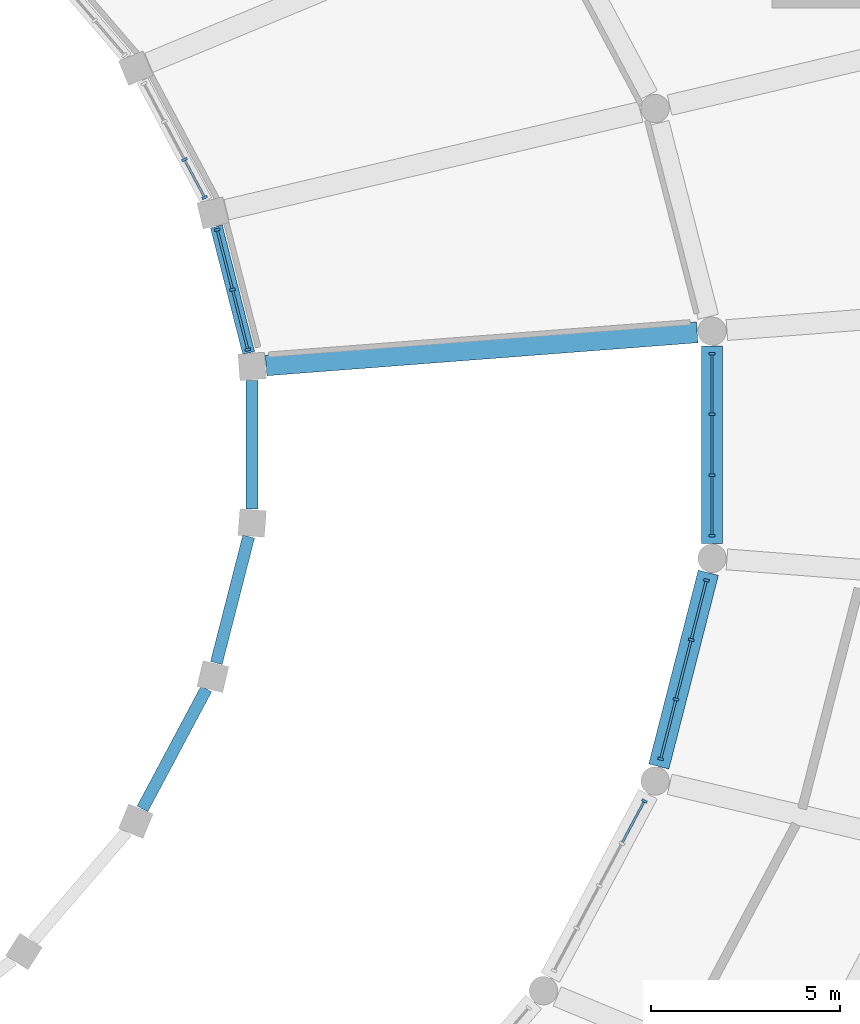
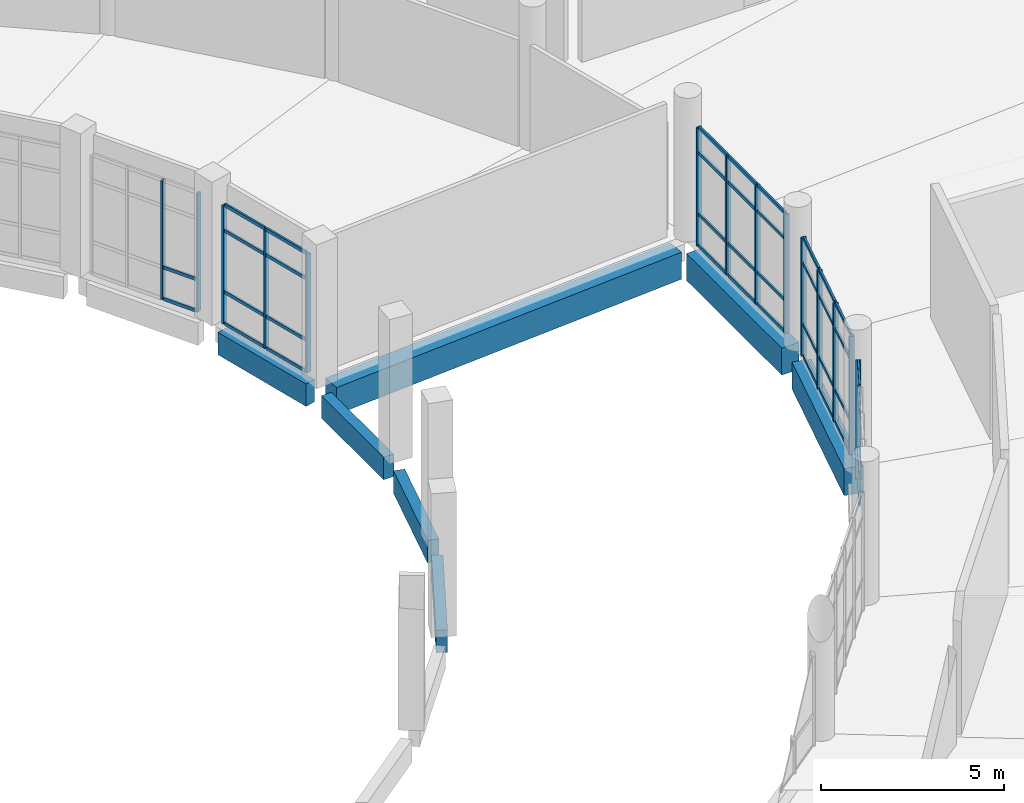
# One storey, part 42 of 179: 52 members, 7 beams, 5 elements without a shape of their own.
"""IFC4 building model written with IfcOpenShell, lengths in metres."""

from ifc_helpers import new_model, si_unit, direction, frame, origin, origin_2d, place, context, subcontext, project, spatial, rectangle, extrude, material, layer, layer_set, material_profile, profile_set, type_object, element, aggregate, save


model = new_model("IFC4")

# Units and contexts
model_context = context("Model", 3, precision=1e-05, world=origin(), true_north=direction((0.0, 1.0)))
body_context = subcontext(model_context, "Body", "Model", "MODEL_VIEW")
ifc_project = project(units=[si_unit("LENGTHUNIT", "METRE"), si_unit("AREAUNIT", "SQUARE_METRE"), si_unit("VOLUMEUNIT", "CUBIC_METRE"), si_unit("PLANEANGLEUNIT", "RADIAN"), si_unit("MASSUNIT", "GRAM", prefix="KILO")], contexts=[model_context])

# Site, building, storey
site_placement = place(None, origin())
site = spatial("IfcSite", under=ifc_project, at=site_placement, CompositionType="ELEMENT")
building_placement = place(site_placement, origin())
building = spatial("IfcBuilding", under=site, at=building_placement, Name="Corvandel Quay Wholesale Market", CompositionType="ELEMENT")
storey_placement = place(building_placement, frame((0.0, 0.0, 6.0)))
storey = spatial("IfcBuildingStorey", under=building, at=storey_placement, Name="L01", CompositionType="ELEMENT", Elevation=6.0)

# Curtain wall, members
ifc_material_1 = material(Name="Bronze anodised aluminium and low-E insulated glazing", Category="aluminium")
ifc_layer_1 = layer(ifc_material_1, 0.14990234375)
ifc_layer_set_1 = layer_set([ifc_layer_1], Name="Bronze anodised aluminium and low-E insulated glazing")
curtain_wall_type_1 = type_object("IfcCurtainWallType", Name="Stick Curtain Wall System CW15 H4350", PredefinedType="NOTDEFINED", material=ifc_layer_set_1)
curtain_wall_1_placement = place(storey_placement, origin())
curtain_wall_1 = element("IfcCurtainWall", 1, at=curtain_wall_1_placement, inside=storey, type_object=curtain_wall_type_1, Name="Curtain Wall CW-0001", PredefinedType="NOTDEFINED")
ifc_material_2 = material(Name="Anodised aluminium 6063-T6", Category="aluminium")
ifc_material_profile_1 = material_profile(ifc_material_2, rectangle(XDim=0.06494140625, YDim=0.14990234375, at=origin_2d()), Name="ALU-MUL-65x150")
ifc_profile_set_1 = profile_set([ifc_material_profile_1], Name="Anodised aluminium 6063-T6")
member_type_1 = type_object("IfcMemberType", Name="Curtain Wall Mullion ML02 65x150", PredefinedType="MULLION", material=ifc_profile_set_1)
member_1_placement = place(storey_placement, frame((140.885986328125, 44.513671875, 0.0), z_axis=(0.0, 0.0, 1.0), x_axis=(-0.247844544316, 0.968799815159, 0.0)))
member_1 = element("IfcMember", 2, at=member_1_placement, type_object=member_type_1, Name="Mullion CW-0001-M00", PredefinedType="MULLION", context=body_context, shape_type="SweptSolid", body=[
    extrude(rectangle(XDim=0.06494140625, YDim=0.14990234375, at=origin_2d()), origin(), (0.0, 0.0, 1.0), 3.949951171875),
])
member_2_placement = place(storey_placement, frame((140.48095703125, 46.096435546875, 0.0), z_axis=(0.0, 0.0, 1.0), x_axis=(-0.247844544316, 0.968799815159, 0.0)))
member_2 = element("IfcMember", 3, at=member_2_placement, type_object=member_type_1, Name="Mullion CW-0001-M01", PredefinedType="MULLION", context=body_context, shape_type="SweptSolid", body=[
    extrude(rectangle(XDim=0.06494140625, YDim=0.14990234375, at=origin_2d()), origin(), (0.0, 0.0, 1.0), 3.949951171875),
])
member_3_placement = place(storey_placement, frame((140.075927734375, 47.67919921875, 0.0), z_axis=(0.0, 0.0, 1.0), x_axis=(-0.247844544316, 0.968799815159, 0.0)))
member_3 = element("IfcMember", 4, at=member_3_placement, type_object=member_type_1, Name="Mullion CW-0001-M02", PredefinedType="MULLION", context=body_context, shape_type="SweptSolid", body=[
    extrude(rectangle(XDim=0.06494140625, YDim=0.14990234375, at=origin_2d()), origin(), (0.0, 0.0, 1.0), 3.949951171875),
])

ifc_layer_2 = layer(ifc_material_1, 0.162109375)
ifc_layer_set_2 = layer_set([ifc_layer_2], Name="Bronze anodised aluminium and low-E insulated glazing")
curtain_wall_type_2 = type_object("IfcCurtainWallType", Name="Stick Curtain Wall System CW16 H4440", PredefinedType="NOTDEFINED", material=ifc_layer_set_2)
curtain_wall_2_placement = place(storey_placement, origin())
curtain_wall_2 = element("IfcCurtainWall", 5, at=curtain_wall_2_placement, inside=storey, type_object=curtain_wall_type_2, Name="Curtain Wall CW-0004", PredefinedType="NOTDEFINED")
member_4_placement = place(storey_placement, frame((139.745849609375, 48.531005859375, 0.0), z_axis=(0.0, 0.0, 1.0), x_axis=(-0.469933808689, 0.882701657102, 0.0)))
member_4 = element("IfcMember", 6, at=member_4_placement, type_object=member_type_1, Name="Mullion CW-0004-M00", PredefinedType="MULLION", context=body_context, shape_type="SweptSolid", body=[
    extrude(rectangle(XDim=0.06494140625, YDim=0.14990234375, at=origin_2d()), origin(), (0.0, 0.0, 1.0), 3.949951171875),
])
member_5_placement = place(storey_placement, frame((139.211669921875, 49.534423828125, 0.0), z_axis=(0.0, 0.0, 1.0), x_axis=(-0.469933808689, 0.882701657102, 0.0)))
member_5 = element("IfcMember", 7, at=member_5_placement, type_object=member_type_1, Name="Mullion CW-0004-M01", PredefinedType="MULLION", context=body_context, shape_type="SweptSolid", body=[
    extrude(rectangle(XDim=0.06494140625, YDim=0.14990234375, at=origin_2d()), origin(), (0.0, 0.0, 1.0), 3.949951171875),
])

# Curtain wall, member
ifc_layer_3 = layer(ifc_material_1, 0.14990234375)
ifc_layer_set_3 = layer_set([ifc_layer_3], Name="Bronze anodised aluminium and low-E insulated glazing")
curtain_wall_type_3 = type_object("IfcCurtainWallType", Name="Stick Curtain Wall System CW20 H4800", PredefinedType="NOTDEFINED", material=ifc_layer_set_3)
curtain_wall_3_placement = place(storey_placement, origin())
curtain_wall_3 = element("IfcCurtainWall", 8, at=curtain_wall_3_placement, inside=storey, type_object=curtain_wall_type_3, Name="Curtain Wall CW-0087", PredefinedType="NOTDEFINED")
member_6_placement = place(storey_placement, frame((151.363037109375, 32.58837890625, 0.0), z_axis=(0.0, 0.0, 1.0), x_axis=(0.470087862033, 0.882619624736, 0.0)))
member_6 = element("IfcMember", 9, at=member_6_placement, type_object=member_type_1, Name="Mullion CW-0087-M04", PredefinedType="MULLION", context=body_context, shape_type="SweptSolid", body=[
    extrude(rectangle(XDim=0.06494140625, YDim=0.14990234375, at=origin_2d()), origin(), (0.0, 0.0, 1.0), 3.949951171875),
])

# Curtain wall, members
ifc_layer_4 = layer(ifc_material_1, 0.162109375)
ifc_layer_set_4 = layer_set([ifc_layer_4], Name="Bronze anodised aluminium and low-E insulated glazing")
curtain_wall_type_4 = type_object("IfcCurtainWallType", Name="Stick Curtain Wall System CW21 H4890", PredefinedType="NOTDEFINED", material=ifc_layer_set_4)
curtain_wall_4_placement = place(storey_placement, origin())
curtain_wall_4 = element("IfcCurtainWall", 10, at=curtain_wall_4_placement, inside=storey, type_object=curtain_wall_type_4, Name="Curtain Wall CW-0089", PredefinedType="NOTDEFINED")
member_7_placement = place(storey_placement, frame((151.793701171875, 33.69921875, 0.0), z_axis=(0.0, 0.0, 1.0), x_axis=(0.247844544316, 0.968799815159, 0.0)))
member_7 = element("IfcMember", 11, at=member_7_placement, type_object=member_type_1, Name="Mullion CW-0089-M00", PredefinedType="MULLION", context=body_context, shape_type="SweptSolid", body=[
    extrude(rectangle(XDim=0.06494140625, YDim=0.14990234375, at=origin_2d()), origin(), (0.0, 0.0, 1.0), 3.949951171875),
])
member_8_placement = place(storey_placement, frame((152.1962890625, 35.272705078125, 0.0), z_axis=(0.0, 0.0, 1.0), x_axis=(0.247844544316, 0.968799815159, 0.0)))
member_8 = element("IfcMember", 12, at=member_8_placement, type_object=member_type_1, Name="Mullion CW-0089-M01", PredefinedType="MULLION", context=body_context, shape_type="SweptSolid", body=[
    extrude(rectangle(XDim=0.06494140625, YDim=0.14990234375, at=origin_2d()), origin(), (0.0, 0.0, 1.0), 3.949951171875),
])
member_9_placement = place(storey_placement, frame((152.598876953125, 36.84619140625, 0.0), z_axis=(0.0, 0.0, 1.0), x_axis=(0.247844544316, 0.968799815159, 0.0)))
member_9 = element("IfcMember", 13, at=member_9_placement, type_object=member_type_1, Name="Mullion CW-0089-M02", PredefinedType="MULLION", context=body_context, shape_type="SweptSolid", body=[
    extrude(rectangle(XDim=0.06494140625, YDim=0.14990234375, at=origin_2d()), origin(), (0.0, 0.0, 1.0), 3.949951171875),
])
member_10_placement = place(storey_placement, frame((153.001220703125, 38.419677734375, 0.0), z_axis=(0.0, 0.0, 1.0), x_axis=(0.247844544316, 0.968799815159, 0.0)))
member_10 = element("IfcMember", 14, at=member_10_placement, type_object=member_type_1, Name="Mullion CW-0089-M03", PredefinedType="MULLION", context=body_context, shape_type="SweptSolid", body=[
    extrude(rectangle(XDim=0.06494140625, YDim=0.14990234375, at=origin_2d()), origin(), (0.0, 0.0, 1.0), 3.949951171875),
])

ifc_layer_5 = layer(ifc_material_1, 0.174072265625)
ifc_layer_set_5 = layer_set([ifc_layer_5], Name="Bronze anodised aluminium and low-E insulated glazing")
curtain_wall_type_5 = type_object("IfcCurtainWallType", Name="Stick Curtain Wall System CW22 H4980", PredefinedType="NOTDEFINED", material=ifc_layer_set_5)
curtain_wall_5_placement = place(storey_placement, origin())
curtain_wall_5 = element("IfcCurtainWall", 15, at=curtain_wall_5_placement, inside=storey, type_object=curtain_wall_type_5, Name="Curtain Wall CW-0090", PredefinedType="NOTDEFINED")
member_11_placement = place(storey_placement, frame((153.14990234375, 39.60107421875, 0.0), z_axis=(0.0, 0.0, 1.0), x_axis=(0.0, 1.0, 0.0)))
member_11 = element("IfcMember", 16, at=member_11_placement, type_object=member_type_1, Name="Mullion CW-0090-M00", PredefinedType="MULLION", context=body_context, shape_type="SweptSolid", body=[
    extrude(rectangle(XDim=0.06494140625, YDim=0.14990234375, at=origin_2d()), origin(), (0.0, 0.0, 1.0), 3.949951171875),
])
member_12_placement = place(storey_placement, frame((153.14990234375, 41.2001953125, 0.0), z_axis=(0.0, 0.0, 1.0), x_axis=(0.0, 1.0, 0.0)))
member_12 = element("IfcMember", 17, at=member_12_placement, type_object=member_type_1, Name="Mullion CW-0090-M01", PredefinedType="MULLION", context=body_context, shape_type="SweptSolid", body=[
    extrude(rectangle(XDim=0.06494140625, YDim=0.14990234375, at=origin_2d()), origin(), (0.0, 0.0, 1.0), 3.949951171875),
])
member_13_placement = place(storey_placement, frame((153.14990234375, 42.7998046875, 0.0), z_axis=(0.0, 0.0, 1.0), x_axis=(0.0, 1.0, 0.0)))
member_13 = element("IfcMember", 18, at=member_13_placement, type_object=member_type_1, Name="Mullion CW-0090-M02", PredefinedType="MULLION", context=body_context, shape_type="SweptSolid", body=[
    extrude(rectangle(XDim=0.06494140625, YDim=0.14990234375, at=origin_2d()), origin(), (0.0, 0.0, 1.0), 3.949951171875),
])
member_14_placement = place(storey_placement, frame((153.14990234375, 44.39892578125, 0.0), z_axis=(0.0, 0.0, 1.0), x_axis=(0.0, 1.0, 0.0)))
member_14 = element("IfcMember", 19, at=member_14_placement, type_object=member_type_1, Name="Mullion CW-0090-M03", PredefinedType="MULLION", context=body_context, shape_type="SweptSolid", body=[
    extrude(rectangle(XDim=0.06494140625, YDim=0.14990234375, at=origin_2d()), origin(), (0.0, 0.0, 1.0), 3.949951171875),
])

# Member
ifc_material_profile_2 = material_profile(ifc_material_2, rectangle(XDim=0.06005859375, YDim=0.110107421875, at=origin_2d()), Name="ALU-TRN-60x110")
ifc_profile_set_2 = profile_set([ifc_material_profile_2], Name="Anodised aluminium 6063-T6")
member_type_2 = type_object("IfcMemberType", Name="Curtain Wall Transom TR02 60x110", PredefinedType="USERDEFINED", material=ifc_profile_set_2)
member_15_placement = place(storey_placement, frame((140.8779296875, 44.545166015625, 0.0), z_axis=(-0.247914775851, 0.968781845368, 0.0), x_axis=(-0.968781845368, -0.247914775851, 0.0)))
member_15 = element("IfcMember", 20, at=member_15_placement, type_object=member_type_2, Name="Transom CW-0001-T00-0", ObjectType="TRANSOM", PredefinedType="USERDEFINED", context=body_context, shape_type="SweptSolid", body=[
    extrude(rectangle(XDim=0.06005859375, YDim=0.110107421875, at=origin_2d()), origin(), (0.0, 0.0, 1.0), 1.56884765625),
])

member_16_placement = place(storey_placement, frame((140.8779296875, 44.545166015625, 1.050048828125), z_axis=(-0.247914775851, 0.968781845368, 0.0), x_axis=(-0.968781845368, -0.247914775851, 0.0)))
member_16 = element("IfcMember", 21, at=member_16_placement, type_object=member_type_2, Name="Transom CW-0001-T00-1", ObjectType="TRANSOM", PredefinedType="USERDEFINED", context=body_context, shape_type="SweptSolid", body=[
    extrude(rectangle(XDim=0.06005859375, YDim=0.110107421875, at=origin_2d()), origin(), (0.0, 0.0, 1.0), 1.56884765625),
])

member_17_placement = place(storey_placement, frame((140.8779296875, 44.545166015625, 3.10009765625), z_axis=(-0.247914775851, 0.968781845368, 0.0), x_axis=(-0.968781845368, -0.247914775851, 0.0)))
member_17 = element("IfcMember", 22, at=member_17_placement, type_object=member_type_2, Name="Transom CW-0001-T00-2", ObjectType="TRANSOM", PredefinedType="USERDEFINED", context=body_context, shape_type="SweptSolid", body=[
    extrude(rectangle(XDim=0.06005859375, YDim=0.110107421875, at=origin_2d()), origin(), (0.0, 0.0, 1.0), 1.56884765625),
])

member_18_placement = place(storey_placement, frame((140.8779296875, 44.545166015625, 3.949951171875), z_axis=(-0.247914775851, 0.968781845368, 0.0), x_axis=(-0.968781845368, -0.247914775851, 0.0)))
member_18 = element("IfcMember", 23, at=member_18_placement, type_object=member_type_2, Name="Transom CW-0001-T00-3", ObjectType="TRANSOM", PredefinedType="USERDEFINED", context=body_context, shape_type="SweptSolid", body=[
    extrude(rectangle(XDim=0.06005859375, YDim=0.110107421875, at=origin_2d()), origin(), (0.0, 0.0, 1.0), 1.56884765625),
])

member_19_placement = place(storey_placement, frame((140.472900390625, 46.1279296875, 0.0), z_axis=(-0.247914775851, 0.968781845368, 0.0), x_axis=(-0.968781845368, -0.247914775851, 0.0)))
member_19 = element("IfcMember", 24, at=member_19_placement, type_object=member_type_2, Name="Transom CW-0001-T01-0", ObjectType="TRANSOM", PredefinedType="USERDEFINED", context=body_context, shape_type="SweptSolid", body=[
    extrude(rectangle(XDim=0.06005859375, YDim=0.110107421875, at=origin_2d()), origin(), (0.0, 0.0, 1.0), 1.56884765625),
])

member_20_placement = place(storey_placement, frame((140.472900390625, 46.1279296875, 1.050048828125), z_axis=(-0.247914775851, 0.968781845368, 0.0), x_axis=(-0.968781845368, -0.247914775851, 0.0)))
member_20 = element("IfcMember", 25, at=member_20_placement, type_object=member_type_2, Name="Transom CW-0001-T01-1", ObjectType="TRANSOM", PredefinedType="USERDEFINED", context=body_context, shape_type="SweptSolid", body=[
    extrude(rectangle(XDim=0.06005859375, YDim=0.110107421875, at=origin_2d()), origin(), (0.0, 0.0, 1.0), 1.56884765625),
])

member_21_placement = place(storey_placement, frame((140.472900390625, 46.1279296875, 3.10009765625), z_axis=(-0.247914775851, 0.968781845368, 0.0), x_axis=(-0.968781845368, -0.247914775851, 0.0)))
member_21 = element("IfcMember", 26, at=member_21_placement, type_object=member_type_2, Name="Transom CW-0001-T01-2", ObjectType="TRANSOM", PredefinedType="USERDEFINED", context=body_context, shape_type="SweptSolid", body=[
    extrude(rectangle(XDim=0.06005859375, YDim=0.110107421875, at=origin_2d()), origin(), (0.0, 0.0, 1.0), 1.56884765625),
])

member_22_placement = place(storey_placement, frame((140.472900390625, 46.1279296875, 3.949951171875), z_axis=(-0.247914775851, 0.968781845368, 0.0), x_axis=(-0.968781845368, -0.247914775851, 0.0)))
member_22 = element("IfcMember", 27, at=member_22_placement, type_object=member_type_2, Name="Transom CW-0001-T01-3", ObjectType="TRANSOM", PredefinedType="USERDEFINED", context=body_context, shape_type="SweptSolid", body=[
    extrude(rectangle(XDim=0.06005859375, YDim=0.110107421875, at=origin_2d()), origin(), (0.0, 0.0, 1.0), 1.56884765625),
])

aggregate(curtain_wall_1, [member_1, member_2, member_3, member_15, member_16, member_17, member_18, member_19, member_20, member_21, member_22])

member_23_placement = place(storey_placement, frame((139.73046875, 48.559814453125, 0.0), z_axis=(-0.470032340341, 0.88264919364, 0.0), x_axis=(-0.88264919364, -0.470032340341, 0.0)))
member_23 = element("IfcMember", 28, at=member_23_placement, type_object=member_type_2, Name="Transom CW-0004-T00-0", ObjectType="TRANSOM", PredefinedType="USERDEFINED", context=body_context, shape_type="SweptSolid", body=[
    extrude(rectangle(XDim=0.06005859375, YDim=0.110107421875, at=origin_2d()), origin(), (0.0, 0.0, 1.0), 1.071533203125),
])

member_24_placement = place(storey_placement, frame((139.73046875, 48.559814453125, 1.050048828125), z_axis=(-0.470032340341, 0.88264919364, 0.0), x_axis=(-0.88264919364, -0.470032340341, 0.0)))
member_24 = element("IfcMember", 29, at=member_24_placement, type_object=member_type_2, Name="Transom CW-0004-T00-1", ObjectType="TRANSOM", PredefinedType="USERDEFINED", context=body_context, shape_type="SweptSolid", body=[
    extrude(rectangle(XDim=0.06005859375, YDim=0.110107421875, at=origin_2d()), origin(), (0.0, 0.0, 1.0), 1.071533203125),
])

aggregate(curtain_wall_2, [member_4, member_5, member_23, member_24])

member_25_placement = place(storey_placement, frame((150.781494140625, 31.49658203125, 0.0), z_axis=(0.470009555952, 0.882661326508, 0.0), x_axis=(-0.882661326508, 0.470009555952, 0.0)))
member_25 = element("IfcMember", 30, at=member_25_placement, type_object=member_type_2, Name="Transom CW-0087-T03-0", ObjectType="TRANSOM", PredefinedType="USERDEFINED", context=body_context, shape_type="SweptSolid", body=[
    extrude(rectangle(XDim=0.06005859375, YDim=0.110107421875, at=origin_2d()), origin(), (0.0, 0.0, 1.0), 1.20458984375),
])

member_26_placement = place(storey_placement, frame((150.781494140625, 31.49658203125, 1.050048828125), z_axis=(0.470009555952, 0.882661326508, 0.0), x_axis=(-0.882661326508, 0.470009555952, 0.0)))
member_26 = element("IfcMember", 31, at=member_26_placement, type_object=member_type_2, Name="Transom CW-0087-T03-1", ObjectType="TRANSOM", PredefinedType="USERDEFINED", context=body_context, shape_type="SweptSolid", body=[
    extrude(rectangle(XDim=0.06005859375, YDim=0.110107421875, at=origin_2d()), origin(), (0.0, 0.0, 1.0), 1.20458984375),
])

member_27_placement = place(storey_placement, frame((150.781494140625, 31.49658203125, 3.10009765625), z_axis=(0.470009555952, 0.882661326508, 0.0), x_axis=(-0.882661326508, 0.470009555952, 0.0)))
member_27 = element("IfcMember", 32, at=member_27_placement, type_object=member_type_2, Name="Transom CW-0087-T03-2", ObjectType="TRANSOM", PredefinedType="USERDEFINED", context=body_context, shape_type="SweptSolid", body=[
    extrude(rectangle(XDim=0.06005859375, YDim=0.110107421875, at=origin_2d()), origin(), (0.0, 0.0, 1.0), 1.20458984375),
])

member_28_placement = place(storey_placement, frame((150.781494140625, 31.49658203125, 3.949951171875), z_axis=(0.470009555952, 0.882661326508, 0.0), x_axis=(-0.882661326508, 0.470009555952, 0.0)))
member_28 = element("IfcMember", 33, at=member_28_placement, type_object=member_type_2, Name="Transom CW-0087-T03-3", ObjectType="TRANSOM", PredefinedType="USERDEFINED", context=body_context, shape_type="SweptSolid", body=[
    extrude(rectangle(XDim=0.06005859375, YDim=0.110107421875, at=origin_2d()), origin(), (0.0, 0.0, 1.0), 1.20458984375),
])

aggregate(curtain_wall_3, [member_6, member_25, member_26, member_27, member_28])

member_29_placement = place(storey_placement, frame((151.8017578125, 33.730712890625, 0.0), z_axis=(0.247874263937, 0.968792211611, 0.0), x_axis=(-0.968792211611, 0.247874263937, 0.0)))
member_29 = element("IfcMember", 34, at=member_29_placement, type_object=member_type_2, Name="Transom CW-0089-T00-0", ObjectType="TRANSOM", PredefinedType="USERDEFINED", context=body_context, shape_type="SweptSolid", body=[
    extrude(rectangle(XDim=0.06005859375, YDim=0.110107421875, at=origin_2d()), origin(), (0.0, 0.0, 1.0), 1.55908203125),
])

member_30_placement = place(storey_placement, frame((151.8017578125, 33.730712890625, 1.050048828125), z_axis=(0.247874263937, 0.968792211611, 0.0), x_axis=(-0.968792211611, 0.247874263937, 0.0)))
member_30 = element("IfcMember", 35, at=member_30_placement, type_object=member_type_2, Name="Transom CW-0089-T00-1", ObjectType="TRANSOM", PredefinedType="USERDEFINED", context=body_context, shape_type="SweptSolid", body=[
    extrude(rectangle(XDim=0.06005859375, YDim=0.110107421875, at=origin_2d()), origin(), (0.0, 0.0, 1.0), 1.55908203125),
])

member_31_placement = place(storey_placement, frame((151.8017578125, 33.730712890625, 3.10009765625), z_axis=(0.247874263937, 0.968792211611, 0.0), x_axis=(-0.968792211611, 0.247874263937, 0.0)))
member_31 = element("IfcMember", 36, at=member_31_placement, type_object=member_type_2, Name="Transom CW-0089-T00-2", ObjectType="TRANSOM", PredefinedType="USERDEFINED", context=body_context, shape_type="SweptSolid", body=[
    extrude(rectangle(XDim=0.06005859375, YDim=0.110107421875, at=origin_2d()), origin(), (0.0, 0.0, 1.0), 1.55908203125),
])

member_32_placement = place(storey_placement, frame((151.8017578125, 33.730712890625, 3.949951171875), z_axis=(0.247874263937, 0.968792211611, 0.0), x_axis=(-0.968792211611, 0.247874263937, 0.0)))
member_32 = element("IfcMember", 37, at=member_32_placement, type_object=member_type_2, Name="Transom CW-0089-T00-3", ObjectType="TRANSOM", PredefinedType="USERDEFINED", context=body_context, shape_type="SweptSolid", body=[
    extrude(rectangle(XDim=0.06005859375, YDim=0.110107421875, at=origin_2d()), origin(), (0.0, 0.0, 1.0), 1.55908203125),
])

member_33_placement = place(storey_placement, frame((152.204345703125, 35.30419921875, 0.0), z_axis=(0.247874263937, 0.968792211611, 0.0), x_axis=(-0.968792211611, 0.247874263937, 0.0)))
member_33 = element("IfcMember", 38, at=member_33_placement, type_object=member_type_2, Name="Transom CW-0089-T01-0", ObjectType="TRANSOM", PredefinedType="USERDEFINED", context=body_context, shape_type="SweptSolid", body=[
    extrude(rectangle(XDim=0.06005859375, YDim=0.110107421875, at=origin_2d()), origin(), (0.0, 0.0, 1.0), 1.55908203125),
])

member_34_placement = place(storey_placement, frame((152.204345703125, 35.30419921875, 1.050048828125), z_axis=(0.247874263937, 0.968792211611, 0.0), x_axis=(-0.968792211611, 0.247874263937, 0.0)))
member_34 = element("IfcMember", 39, at=member_34_placement, type_object=member_type_2, Name="Transom CW-0089-T01-1", ObjectType="TRANSOM", PredefinedType="USERDEFINED", context=body_context, shape_type="SweptSolid", body=[
    extrude(rectangle(XDim=0.06005859375, YDim=0.110107421875, at=origin_2d()), origin(), (0.0, 0.0, 1.0), 1.55908203125),
])

member_35_placement = place(storey_placement, frame((152.204345703125, 35.30419921875, 3.10009765625), z_axis=(0.247874263937, 0.968792211611, 0.0), x_axis=(-0.968792211611, 0.247874263937, 0.0)))
member_35 = element("IfcMember", 40, at=member_35_placement, type_object=member_type_2, Name="Transom CW-0089-T01-2", ObjectType="TRANSOM", PredefinedType="USERDEFINED", context=body_context, shape_type="SweptSolid", body=[
    extrude(rectangle(XDim=0.06005859375, YDim=0.110107421875, at=origin_2d()), origin(), (0.0, 0.0, 1.0), 1.55908203125),
])

member_36_placement = place(storey_placement, frame((152.204345703125, 35.30419921875, 3.949951171875), z_axis=(0.247874263937, 0.968792211611, 0.0), x_axis=(-0.968792211611, 0.247874263937, 0.0)))
member_36 = element("IfcMember", 41, at=member_36_placement, type_object=member_type_2, Name="Transom CW-0089-T01-3", ObjectType="TRANSOM", PredefinedType="USERDEFINED", context=body_context, shape_type="SweptSolid", body=[
    extrude(rectangle(XDim=0.06005859375, YDim=0.110107421875, at=origin_2d()), origin(), (0.0, 0.0, 1.0), 1.55908203125),
])

member_37_placement = place(storey_placement, frame((152.606689453125, 36.877685546875, 0.0), z_axis=(0.247874263937, 0.968792211611, 0.0), x_axis=(-0.968792211611, 0.247874263937, 0.0)))
member_37 = element("IfcMember", 42, at=member_37_placement, type_object=member_type_2, Name="Transom CW-0089-T02-0", ObjectType="TRANSOM", PredefinedType="USERDEFINED", context=body_context, shape_type="SweptSolid", body=[
    extrude(rectangle(XDim=0.06005859375, YDim=0.110107421875, at=origin_2d()), origin(), (0.0, 0.0, 1.0), 1.55908203125),
])

member_38_placement = place(storey_placement, frame((152.606689453125, 36.877685546875, 1.050048828125), z_axis=(0.247874263937, 0.968792211611, 0.0), x_axis=(-0.968792211611, 0.247874263937, 0.0)))
member_38 = element("IfcMember", 43, at=member_38_placement, type_object=member_type_2, Name="Transom CW-0089-T02-1", ObjectType="TRANSOM", PredefinedType="USERDEFINED", context=body_context, shape_type="SweptSolid", body=[
    extrude(rectangle(XDim=0.06005859375, YDim=0.110107421875, at=origin_2d()), origin(), (0.0, 0.0, 1.0), 1.55908203125),
])

member_39_placement = place(storey_placement, frame((152.606689453125, 36.877685546875, 3.10009765625), z_axis=(0.247874263937, 0.968792211611, 0.0), x_axis=(-0.968792211611, 0.247874263937, 0.0)))
member_39 = element("IfcMember", 44, at=member_39_placement, type_object=member_type_2, Name="Transom CW-0089-T02-2", ObjectType="TRANSOM", PredefinedType="USERDEFINED", context=body_context, shape_type="SweptSolid", body=[
    extrude(rectangle(XDim=0.06005859375, YDim=0.110107421875, at=origin_2d()), origin(), (0.0, 0.0, 1.0), 1.55908203125),
])

member_40_placement = place(storey_placement, frame((152.606689453125, 36.877685546875, 3.949951171875), z_axis=(0.247874263937, 0.968792211611, 0.0), x_axis=(-0.968792211611, 0.247874263937, 0.0)))
member_40 = element("IfcMember", 45, at=member_40_placement, type_object=member_type_2, Name="Transom CW-0089-T02-3", ObjectType="TRANSOM", PredefinedType="USERDEFINED", context=body_context, shape_type="SweptSolid", body=[
    extrude(rectangle(XDim=0.06005859375, YDim=0.110107421875, at=origin_2d()), origin(), (0.0, 0.0, 1.0), 1.55908203125),
])

aggregate(curtain_wall_4, [member_7, member_8, member_9, member_10, member_29, member_30, member_31, member_32, member_33, member_34, member_35, member_36, member_37, member_38, member_39, member_40])

member_41_placement = place(storey_placement, frame((153.14990234375, 39.633544921875, 0.0), z_axis=(0.0, 1.0, 0.0), x_axis=(-1.0, 0.0, 0.0)))
member_41 = element("IfcMember", 46, at=member_41_placement, type_object=member_type_2, Name="Transom CW-0090-T00-0", ObjectType="TRANSOM", PredefinedType="USERDEFINED", context=body_context, shape_type="SweptSolid", body=[
    extrude(rectangle(XDim=0.06005859375, YDim=0.110107421875, at=origin_2d()), origin(), (0.0, 0.0, 1.0), 1.5341796875),
])

member_42_placement = place(storey_placement, frame((153.14990234375, 39.633544921875, 1.050048828125), z_axis=(0.0, 1.0, 0.0), x_axis=(-1.0, 0.0, 0.0)))
member_42 = element("IfcMember", 47, at=member_42_placement, type_object=member_type_2, Name="Transom CW-0090-T00-1", ObjectType="TRANSOM", PredefinedType="USERDEFINED", context=body_context, shape_type="SweptSolid", body=[
    extrude(rectangle(XDim=0.06005859375, YDim=0.110107421875, at=origin_2d()), origin(), (0.0, 0.0, 1.0), 1.5341796875),
])

member_43_placement = place(storey_placement, frame((153.14990234375, 39.633544921875, 3.10009765625), z_axis=(0.0, 1.0, 0.0), x_axis=(-1.0, 0.0, 0.0)))
member_43 = element("IfcMember", 48, at=member_43_placement, type_object=member_type_2, Name="Transom CW-0090-T00-2", ObjectType="TRANSOM", PredefinedType="USERDEFINED", context=body_context, shape_type="SweptSolid", body=[
    extrude(rectangle(XDim=0.06005859375, YDim=0.110107421875, at=origin_2d()), origin(), (0.0, 0.0, 1.0), 1.5341796875),
])

member_44_placement = place(storey_placement, frame((153.14990234375, 39.633544921875, 3.949951171875), z_axis=(0.0, 1.0, 0.0), x_axis=(-1.0, 0.0, 0.0)))
member_44 = element("IfcMember", 49, at=member_44_placement, type_object=member_type_2, Name="Transom CW-0090-T00-3", ObjectType="TRANSOM", PredefinedType="USERDEFINED", context=body_context, shape_type="SweptSolid", body=[
    extrude(rectangle(XDim=0.06005859375, YDim=0.110107421875, at=origin_2d()), origin(), (0.0, 0.0, 1.0), 1.5341796875),
])

member_45_placement = place(storey_placement, frame((153.14990234375, 41.23291015625, 0.0), z_axis=(0.0, 1.0, 0.0), x_axis=(-1.0, 0.0, 0.0)))
member_45 = element("IfcMember", 50, at=member_45_placement, type_object=member_type_2, Name="Transom CW-0090-T01-0", ObjectType="TRANSOM", PredefinedType="USERDEFINED", context=body_context, shape_type="SweptSolid", body=[
    extrude(rectangle(XDim=0.06005859375, YDim=0.110107421875, at=origin_2d()), origin(), (0.0, 0.0, 1.0), 1.5341796875),
])

member_46_placement = place(storey_placement, frame((153.14990234375, 41.23291015625, 1.050048828125), z_axis=(0.0, 1.0, 0.0), x_axis=(-1.0, 0.0, 0.0)))
member_46 = element("IfcMember", 51, at=member_46_placement, type_object=member_type_2, Name="Transom CW-0090-T01-1", ObjectType="TRANSOM", PredefinedType="USERDEFINED", context=body_context, shape_type="SweptSolid", body=[
    extrude(rectangle(XDim=0.06005859375, YDim=0.110107421875, at=origin_2d()), origin(), (0.0, 0.0, 1.0), 1.5341796875),
])

member_47_placement = place(storey_placement, frame((153.14990234375, 41.23291015625, 3.10009765625), z_axis=(0.0, 1.0, 0.0), x_axis=(-1.0, 0.0, 0.0)))
member_47 = element("IfcMember", 52, at=member_47_placement, type_object=member_type_2, Name="Transom CW-0090-T01-2", ObjectType="TRANSOM", PredefinedType="USERDEFINED", context=body_context, shape_type="SweptSolid", body=[
    extrude(rectangle(XDim=0.06005859375, YDim=0.110107421875, at=origin_2d()), origin(), (0.0, 0.0, 1.0), 1.5341796875),
])

member_48_placement = place(storey_placement, frame((153.14990234375, 41.23291015625, 3.949951171875), z_axis=(0.0, 1.0, 0.0), x_axis=(-1.0, 0.0, 0.0)))
member_48 = element("IfcMember", 53, at=member_48_placement, type_object=member_type_2, Name="Transom CW-0090-T01-3", ObjectType="TRANSOM", PredefinedType="USERDEFINED", context=body_context, shape_type="SweptSolid", body=[
    extrude(rectangle(XDim=0.06005859375, YDim=0.110107421875, at=origin_2d()), origin(), (0.0, 0.0, 1.0), 1.5341796875),
])

member_49_placement = place(storey_placement, frame((153.14990234375, 42.832275390625, 0.0), z_axis=(0.0, 1.0, 0.0), x_axis=(-1.0, 0.0, 0.0)))
member_49 = element("IfcMember", 54, at=member_49_placement, type_object=member_type_2, Name="Transom CW-0090-T02-0", ObjectType="TRANSOM", PredefinedType="USERDEFINED", context=body_context, shape_type="SweptSolid", body=[
    extrude(rectangle(XDim=0.06005859375, YDim=0.110107421875, at=origin_2d()), origin(), (0.0, 0.0, 1.0), 1.5341796875),
])

member_50_placement = place(storey_placement, frame((153.14990234375, 42.832275390625, 1.050048828125), z_axis=(0.0, 1.0, 0.0), x_axis=(-1.0, 0.0, 0.0)))
member_50 = element("IfcMember", 55, at=member_50_placement, type_object=member_type_2, Name="Transom CW-0090-T02-1", ObjectType="TRANSOM", PredefinedType="USERDEFINED", context=body_context, shape_type="SweptSolid", body=[
    extrude(rectangle(XDim=0.06005859375, YDim=0.110107421875, at=origin_2d()), origin(), (0.0, 0.0, 1.0), 1.5341796875),
])

member_51_placement = place(storey_placement, frame((153.14990234375, 42.832275390625, 3.10009765625), z_axis=(0.0, 1.0, 0.0), x_axis=(-1.0, 0.0, 0.0)))
member_51 = element("IfcMember", 56, at=member_51_placement, type_object=member_type_2, Name="Transom CW-0090-T02-2", ObjectType="TRANSOM", PredefinedType="USERDEFINED", context=body_context, shape_type="SweptSolid", body=[
    extrude(rectangle(XDim=0.06005859375, YDim=0.110107421875, at=origin_2d()), origin(), (0.0, 0.0, 1.0), 1.5341796875),
])

member_52_placement = place(storey_placement, frame((153.14990234375, 42.832275390625, 3.949951171875), z_axis=(0.0, 1.0, 0.0), x_axis=(-1.0, 0.0, 0.0)))
member_52 = element("IfcMember", 57, at=member_52_placement, type_object=member_type_2, Name="Transom CW-0090-T02-3", ObjectType="TRANSOM", PredefinedType="USERDEFINED", context=body_context, shape_type="SweptSolid", body=[
    extrude(rectangle(XDim=0.06005859375, YDim=0.110107421875, at=origin_2d()), origin(), (0.0, 0.0, 1.0), 1.5341796875),
])

aggregate(curtain_wall_5, [member_11, member_12, member_13, member_14, member_41, member_42, member_43, member_44, member_45, member_46, member_47, member_48, member_49, member_50, member_51, member_52])

# Beams
ifc_material_3 = material(Name="Precast concrete C45/55", Category="concrete")
ifc_material_profile_3 = material_profile(ifc_material_3, rectangle(XDim=0.320068359375, YDim=0.75, at=origin_2d()), Name="PC-SPN-320x750")
ifc_profile_set_3 = profile_set([ifc_material_profile_3], Name="Precast concrete C45/55")
beam_type_1 = type_object("IfcBeamType", Name="Pavilion Precast Spandrel SP02 320x750", PredefinedType="SPANDREL", material=ifc_profile_set_3)
beam_1_placement = place(storey_placement, frame((140.908203125, 44.426513671875, -0.655029296875), z_axis=(-0.247847161031, 0.968799145731, 0.0), x_axis=(-0.968799145731, -0.247847161031, 0.0)))
element("IfcBeam", 58, at=beam_1_placement, inside=storey, type_object=beam_type_1, Name="Beam BM-0005", PredefinedType="SPANDREL", context=body_context, shape_type="SweptSolid", body=[
    extrude(rectangle(XDim=0.320068359375, YDim=0.75, at=origin_2d()), origin(), (0.0, 0.0, 1.0), 3.44775390625),
])
beam_2_placement = place(storey_placement, frame((138.100830078125, 32.379638671875, -0.655029296875), z_axis=(0.469998654981, 0.882667131095, 0.0), x_axis=(-0.882667131095, 0.469998654981, 0.0)))
element("IfcBeam", 59, at=beam_2_placement, inside=storey, type_object=beam_type_1, Name="Beam BM-0362", PredefinedType="SPANDREL", context=body_context, shape_type="SweptSolid", body=[
    extrude(rectangle(XDim=0.320068359375, YDim=0.75, at=origin_2d()), origin(), (0.0, 0.0, 1.0), 3.58984375),
])
beam_3_placement = place(storey_placement, frame((140.0537109375, 36.2333984375, -0.655029296875), z_axis=(0.247847161031, 0.968799145731, 0.0), x_axis=(-0.968799145731, 0.247847161031, 0.0)))
element("IfcBeam", 60, at=beam_3_placement, inside=storey, type_object=beam_type_1, Name="Beam BM-0374", PredefinedType="SPANDREL", context=body_context, shape_type="SweptSolid", body=[
    extrude(rectangle(XDim=0.320068359375, YDim=0.75, at=origin_2d()), origin(), (0.0, 0.0, 1.0), 3.44775390625),
])
beam_4_placement = place(storey_placement, frame((141.0, 40.302001953125, -0.655029296875), z_axis=(0.0, 1.0, 0.0), x_axis=(-1.0, 0.0, 0.0)))
element("IfcBeam", 61, at=beam_4_placement, inside=storey, type_object=beam_type_1, Name="Beam BM-0386", PredefinedType="SPANDREL", context=body_context, shape_type="SweptSolid", body=[
    extrude(rectangle(XDim=0.320068359375, YDim=0.75, at=origin_2d()), origin(), (0.0, 0.0, 1.0), 3.39599609375),
])
ifc_material_profile_4 = material_profile(ifc_material_3, rectangle(XDim=0.550048828125, YDim=0.89990234375, at=origin_2d()), Name="PC-GIR-550x900")
ifc_profile_set_4 = profile_set([ifc_material_profile_4], Name="Precast concrete C45/55")
beam_type_2 = type_object("IfcBeamType", Name="Produce Hall Radial Girder G03 550x900", PredefinedType="USERDEFINED", material=ifc_profile_set_4)
beam_5_placement = place(storey_placement, frame((152.756103515625, 44.96875, -0.72998046875), z_axis=(-0.997077076803, -0.076402244168, 0.0), x_axis=(0.076402244168, -0.997077076803, 0.0)))
element("IfcBeam", 62, at=beam_5_placement, inside=storey, type_object=beam_type_2, Name="Beam BM-0006", ObjectType="GIRDER", PredefinedType="USERDEFINED", context=body_context, shape_type="SweptSolid", body=[
    extrude(rectangle(XDim=0.550048828125, YDim=0.89990234375, at=origin_2d()), origin(), (0.0, 0.0, 1.0), 11.420654296875),
])
beam_6_placement = place(storey_placement, frame((151.742919921875, 33.500732421875, -0.75), z_axis=(0.247817109088, 0.9688068334, 0.0), x_axis=(-0.9688068334, 0.247817109088, 0.0)))
element("IfcBeam", 63, at=beam_6_placement, inside=storey, type_object=beam_type_2, Name="Beam BM-0371", ObjectType="GIRDER", PredefinedType="USERDEFINED", context=body_context, shape_type="SweptSolid", body=[
    extrude(rectangle(XDim=0.550048828125, YDim=0.89990234375, at=origin_2d()), origin(), (0.0, 0.0, 1.0), 5.282470703125),
])
beam_7_placement = place(storey_placement, frame((153.14990234375, 39.39599609375, -0.75), z_axis=(0.0, 1.0, 0.0), x_axis=(-1.0, 0.0, 0.0)))
element("IfcBeam", 64, at=beam_7_placement, inside=storey, type_object=beam_type_2, Name="Beam BM-0383", ObjectType="GIRDER", PredefinedType="USERDEFINED", context=body_context, shape_type="SweptSolid", body=[
    extrude(rectangle(XDim=0.550048828125, YDim=0.89990234375, at=origin_2d()), origin(), (0.0, 0.0, 1.0), 5.2080078125),
])

save(model, "model.ifc")
